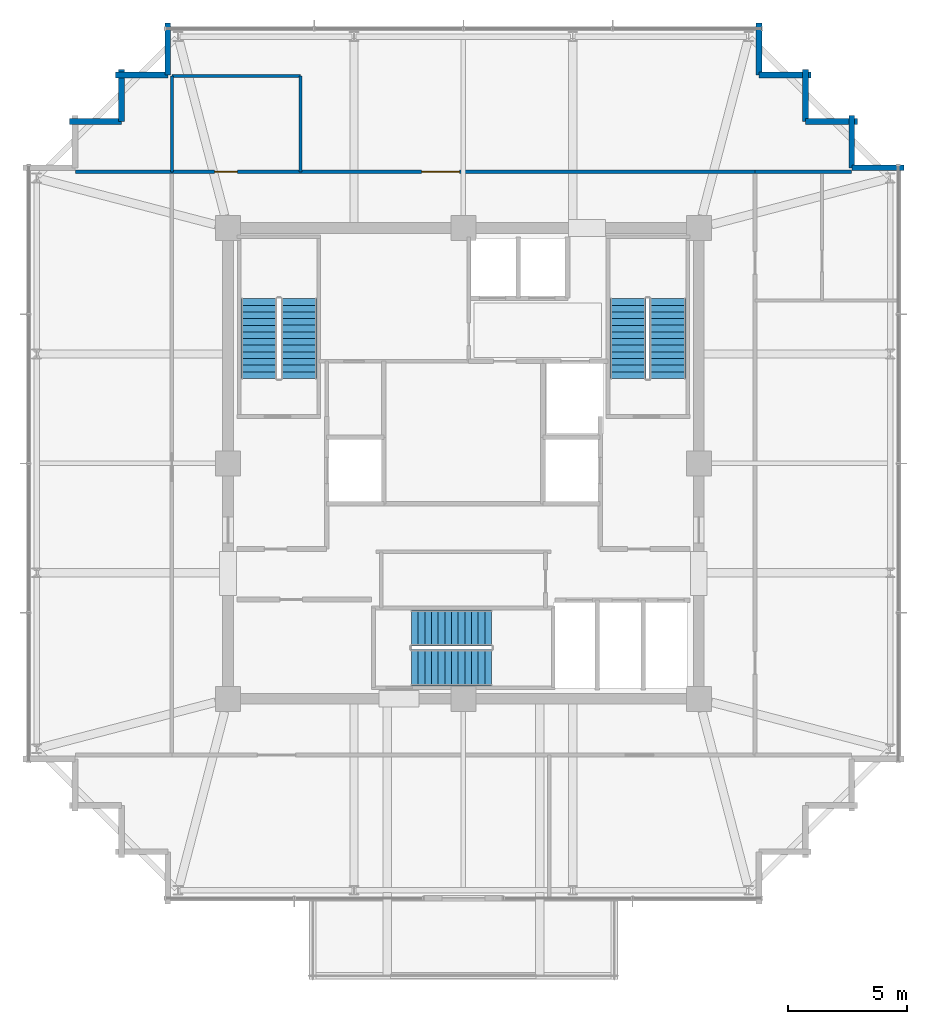
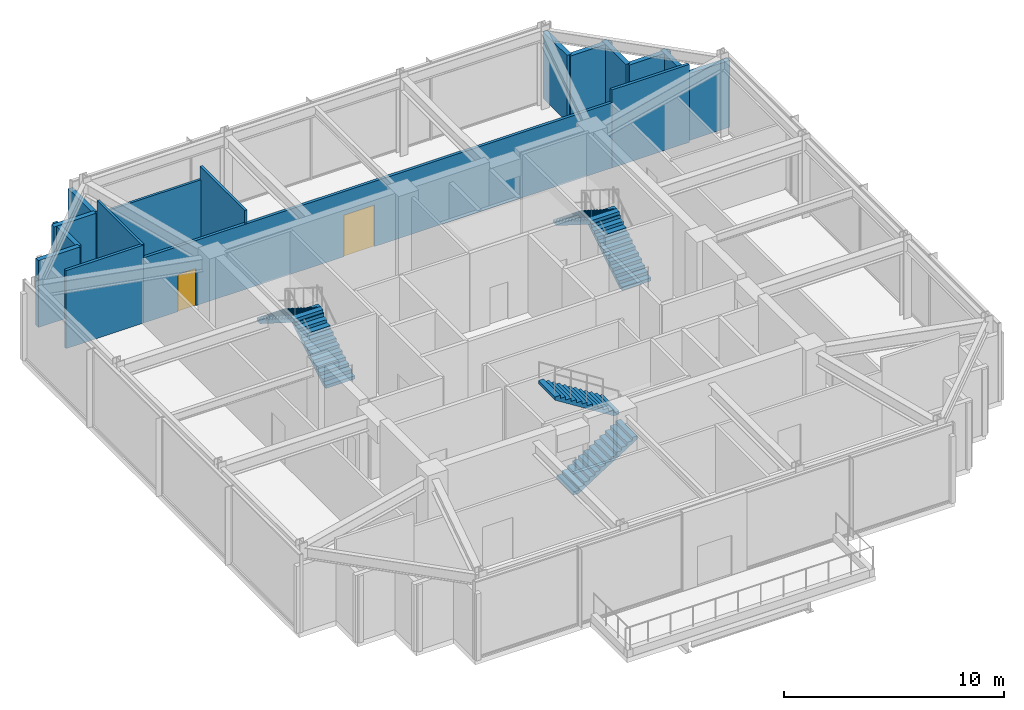
# One storey, part 29 of 30: 16 walls, 6 stair flights, 2 doors, 2 openings, 3 elements without a shape of their own.
"""IFC4 building model written with IfcOpenShell, lengths in metres."""

from ifc_helpers import new_model, si_unit, direction, frame, frame_2d, origin, place, context, subcontext, project, spatial, polyline, rectangle, outline, extrude, material, layer, layer_set, type_object, element, fill, aggregate, save


model = new_model("IFC4")

# Units and contexts
model_context = context("Model", 3, precision=1e-05, world=origin(), true_north=direction((0.0, 1.0)))
body_context = subcontext(model_context, "Body", "Model", "MODEL_VIEW")
ifc_project = project(units=[si_unit("LENGTHUNIT", "METRE"), si_unit("AREAUNIT", "SQUARE_METRE"), si_unit("VOLUMEUNIT", "CUBIC_METRE"), si_unit("PLANEANGLEUNIT", "RADIAN"), si_unit("MASSUNIT", "GRAM", prefix="KILO")], contexts=[model_context])

# Site, building, storey
site_placement = place(None, origin())
site = spatial("IfcSite", under=ifc_project, at=site_placement, CompositionType="ELEMENT")
building_placement = place(site_placement, origin())
building = spatial("IfcBuilding", under=site, at=building_placement, Name="Kolvaren Belvedere", CompositionType="ELEMENT")
storey_placement = place(building_placement, frame((0.0, 0.0, 262.800048828125)))
storey = spatial("IfcBuildingStorey", under=building, at=storey_placement, Name="L76", CompositionType="ELEMENT", Elevation=262.800048828125)

# Wall, openings, doors
ifc_material_1 = material(Name="Gypsum fire-rated partition assembly", Category="gypsum")
ifc_layer_1 = layer(ifc_material_1, 0.14990234375)
ifc_layer_set_1 = layer_set([ifc_layer_1], Name="Gypsum fire-rated partition assembly")
wall_type_1 = type_object("IfcWallType", Name="WL-CORR-150", PredefinedType="PARTITIONING", material=ifc_layer_set_1)
wall_1_placement = place(storey_placement, frame((-12.260009765625, 12.260009765625, 0.0), z_axis=(0.0, 0.0, 1.0), x_axis=(1.0, 0.0, 0.0)))
wall_1 = element("IfcWall", 1, at=wall_1_placement, inside=storey, type_object=wall_type_1, Name="L76 North Corridor Wall", PredefinedType="PARTITIONING", context=body_context, shape_type="SweptSolid", body=[
    extrude(rectangle(XDim=24.52001953125, YDim=0.14990234375, at=frame_2d((12.260009765625, 0.0))), origin(), (0.0, 0.0, 1.0), 3.60888671875),
])
opening_1_placement = place(wall_1_placement, frame((1.800048828125, 0.0, 0.0)))
opening_1 = element("IfcOpeningElement", 2, at=opening_1_placement, cuts=wall_1, Name="Opening D-INT95", PredefinedType="OPENING", context=body_context, shape_type="SweptSolid", body=[
    extrude(rectangle(XDim=0.949951171875, YDim=2.06005859375, at=frame_2d((0.47509765625, 1.030029296875))), frame((0.0, 0.0849609375, 0.0), z_axis=(0.0, -1.0, 0.0), x_axis=(1.0, 0.0, 0.0)), (0.0, 0.0, 1.0), 0.169921875),
])
opening_2_placement = place(wall_1_placement, frame((10.5, 0.0, 0.0)))
opening_2 = element("IfcOpeningElement", 3, at=opening_2_placement, cuts=wall_1, Name="Opening D-GL16", PredefinedType="OPENING", context=body_context, shape_type="SweptSolid", body=[
    extrude(rectangle(XDim=1.60009765625, YDim=2.300048828125, at=frame_2d((0.800048828125, 1.14990234375))), frame((0.0, 0.0849609375, 0.0), z_axis=(0.0, -1.0, 0.0), x_axis=(1.0, 0.0, 0.0)), (0.0, 0.0, 1.0), 0.169921875),
])
ifc_material_2 = material(Name="Anodised pale-metal aluminium & safety glass", Category="aluminium")
door_type_1 = type_object("IfcDoorType", Name="DR-GLAZ-1600", OperationType="DOUBLE_DOOR_SINGLE_SWING", PredefinedType="DOOR", material=ifc_material_2)
door_1_placement = place(opening_2_placement, origin())
door_1 = element("IfcDoor", 4, at=door_1_placement, inside=storey, type_object=door_type_1, Name="L76 North Panoramic Lounge Door", OperationType="DOUBLE_DOOR_SINGLE_SWING", OverallHeight=2.300048828125, OverallWidth=1.60009765625, PredefinedType="DOOR", context=body_context, shape_type="SweptSolid", body=[
    extrude(rectangle(XDim=1.60009765625, YDim=2.300048828125, at=frame_2d((0.800048828125, 1.14990234375))), frame((0.0, 0.02490234375, 0.0), z_axis=(0.0, -1.0, 0.0), x_axis=(1.0, 0.0, 0.0)), (0.0, 0.0, 1.0), 0.050048828125),
])
fill(opening_2, door_1)
ifc_material_3 = material(Name="Stained Pacific white oak", Category="timber")
door_type_2 = type_object("IfcDoorType", Name="DR-INT-950", OperationType="NOTDEFINED", PredefinedType="DOOR", material=ifc_material_3)
door_2_placement = place(opening_1_placement, origin())
door_2 = element("IfcDoor", 5, at=door_2_placement, inside=storey, type_object=door_type_2, Name="L76 Accessible Restaurant Washroom Door", OperationType="SINGLE_SWING_LEFT", OverallHeight=2.06005859375, OverallWidth=0.949951171875, PredefinedType="DOOR", context=body_context, shape_type="SweptSolid", body=[
    extrude(rectangle(XDim=0.949951171875, YDim=2.06005859375, at=frame_2d((0.47509765625, 1.030029296875))), frame((0.0, 0.02490234375, 0.0), z_axis=(0.0, -1.0, 0.0), x_axis=(1.0, 0.0, 0.0)), (0.0, 0.0, 1.0), 0.050048828125),
])
fill(opening_1, door_2)

# Walls
for number, where, z_axis, x_axis, name in (
    (6, (-16.320068359375, 12.260009765625, 0.0), (0.0, 0.0, 1.0), (1.0, 0.0, 0.0), "L76 Sector Wall PW-L76-QNW"),
    (7, (12.260009765625, 12.260009765625, 0.0), (0.0, 0.0, 1.0), (1.0, 0.0, 0.0), "L76 Sector Wall PW-L76-QNE"),
):
    element("IfcWall", number, at=place(storey_placement, frame(where, z_axis=z_axis, x_axis=x_axis)), inside=storey, type_object=wall_type_1, Name=name, PredefinedType="PARTITIONING", context=body_context, shape_type="SweptSolid", body=[
        extrude(rectangle(XDim=4.06005859375, YDim=0.14990234375, at=frame_2d((2.030029296875, 0.0))), origin(), (0.0, 0.0, 1.0), 4.320068359375),
    ])
ifc_material_4 = material(Name="Insulated pale-metal facade wall assembly", Category="aluminium")
ifc_layer_2 = layer(ifc_material_4, 0.239990234375)
ifc_layer_set_2 = layer_set([ifc_layer_2], Name="Insulated pale-metal facade wall assembly")
wall_type_2 = type_object("IfcWallType", Name="WL-EXT-240", PredefinedType="STANDARD", material=ifc_layer_set_2)
wall_2_placement = place(storey_placement, frame((16.330078125, 12.429931640625, 0.0), z_axis=(0.0, 0.0, 1.0), x_axis=(1.0, 0.0, 0.0)))
element("IfcWall", 8, at=wall_2_placement, inside=storey, type_object=wall_type_2, Name="L76 Serrated Corner Facade Wall 9", PredefinedType="STANDARD", context=body_context, shape_type="SweptSolid", body=[
    extrude(rectangle(XDim=2.18994140625, YDim=0.239990234375, at=frame_2d((1.094970703125, 0.0))), origin(), (0.0, 0.0, 1.0), 3.702880859375),
])
for number, where, z_axis, x_axis, name in (
    (9, (16.330078125, 14.6201171875, 0.0), (0.0, 0.0, 1.0), (0.0, -1.0, 0.0), "L76 Serrated Corner Facade Wall 10"),
    (10, (14.3798828125, 14.3798828125, 0.0), (0.0, 0.0, 1.0), (1.0, 0.0, 0.0), "L76 Serrated Corner Facade Wall 11"),
    (11, (14.3798828125, 16.570068359375, 0.0), (0.0, 0.0, 1.0), (0.0, -1.0, 0.0), "L76 Serrated Corner Facade Wall 12"),
    (12, (12.429931640625, 16.330078125, 0.0), (0.0, 0.0, 1.0), (1.0, 0.0, 0.0), "L76 Serrated Corner Facade Wall 13"),
):
    element("IfcWall", number, at=place(storey_placement, frame(where, z_axis=z_axis, x_axis=x_axis)), inside=storey, type_object=wall_type_2, Name=name, PredefinedType="STANDARD", context=body_context, shape_type="SweptSolid", body=[
        extrude(rectangle(XDim=2.190185546875, YDim=0.239990234375, at=frame_2d((1.09521484375, 0.0))), origin(), (0.0, 0.0, 1.0), 3.702880859375),
    ])
for number, where, z_axis, x_axis, name in (
    (13, (12.429931640625, 18.52001953125, 0.0), (0.0, 0.0, 1.0), (0.0, -1.0, 0.0), "L76 Serrated Corner Facade Wall 14"),
    (14, (-12.429931640625, 16.330078125, 0.0), (0.0, 0.0, 1.0), (0.0, 1.0, 0.0), "L76 Serrated Corner Facade Wall 16"),
):
    element("IfcWall", number, at=place(storey_placement, frame(where, z_axis=z_axis, x_axis=x_axis)), inside=storey, type_object=wall_type_2, Name=name, PredefinedType="STANDARD", context=body_context, shape_type="SweptSolid", body=[
        extrude(rectangle(XDim=2.18994140625, YDim=0.239990234375, at=frame_2d((1.094970703125, 0.0))), origin(), (0.0, 0.0, 1.0), 3.702880859375),
    ])
for number, where, z_axis, x_axis, name in (
    (15, (-14.6201171875, 16.330078125, 0.0), (0.0, 0.0, 1.0), (1.0, 0.0, 0.0), "L76 Serrated Corner Facade Wall 17"),
    (16, (-14.3798828125, 14.3798828125, 0.0), (0.0, 0.0, 1.0), (0.0, 1.0, 0.0), "L76 Serrated Corner Facade Wall 18"),
    (17, (-16.570068359375, 14.3798828125, 0.0), (0.0, 0.0, 1.0), (1.0, 0.0, 0.0), "L76 Serrated Corner Facade Wall 19"),
):
    element("IfcWall", number, at=place(storey_placement, frame(where, z_axis=z_axis, x_axis=x_axis)), inside=storey, type_object=wall_type_2, Name=name, PredefinedType="STANDARD", context=body_context, shape_type="SweptSolid", body=[
        extrude(rectangle(XDim=2.190185546875, YDim=0.239990234375, at=frame_2d((1.09521484375, 0.0))), origin(), (0.0, 0.0, 1.0), 3.702880859375),
    ])
ifc_material_5 = material(Name="Moisture-resistant gypsum partition", Category="gypsum")
ifc_layer_3 = layer(ifc_material_5, 0.125)
ifc_layer_set_3 = layer_set([ifc_layer_3], Name="Moisture-resistant gypsum partition")
wall_type_3 = type_object("IfcWallType", Name="WL-WET-125", PredefinedType="PARTITIONING", material=ifc_layer_set_3)
for number, where, z_axis, x_axis, name in (
    (18, (-12.260009765625, 12.260009765625, 0.0), (0.0, 0.0, 1.0), (0.0, 1.0, 0.0), "L76 Accessible WC West Wall"),
    (19, (-6.860107421875, 12.260009765625, 0.0), (0.0, 0.0, 1.0), (0.0, 1.0, 0.0), "L76 Accessible WC East Wall"),
):
    element("IfcWall", number, at=place(storey_placement, frame(where, z_axis=z_axis, x_axis=x_axis)), inside=storey, type_object=wall_type_3, Name=name, PredefinedType="PARTITIONING", context=body_context, shape_type="SweptSolid", body=[
        extrude(rectangle(XDim=4.0400390625, YDim=0.125, at=frame_2d((2.02001953125, 0.0))), origin(), (0.0, 0.0, 1.0), 4.320068359375),
    ])
wall_3_placement = place(storey_placement, frame((-12.260009765625, 16.300048828125, 0.0), z_axis=(0.0, 0.0, 1.0), x_axis=(1.0, 0.0, 0.0)))
element("IfcWall", 20, at=wall_3_placement, inside=storey, type_object=wall_type_3, Name="L76 Accessible WC North Wall", PredefinedType="PARTITIONING", context=body_context, shape_type="SweptSolid", body=[
    extrude(rectangle(XDim=5.39990234375, YDim=0.125, at=frame_2d((2.699951171875, 0.0))), origin(), (0.0, 0.0, 1.0), 3.60888671875),
])

# Stair, stair flights
ifc_material_6 = material(Name="Concrete C50/60", Category="concrete")
stair_type = type_object("IfcStairType", Name="ST-CORE-1520", PredefinedType="HALF_TURN_STAIR", material=ifc_material_6)
stair_1_placement = place(storey_placement, origin())
stair_1 = element("IfcStair", 21, at=stair_1_placement, inside=storey, type_object=stair_type, Name="L76 Protected Exit Stair ST-1", PredefinedType="HALF_TURN_STAIR")
ifc_material_7 = material(Name="Concrete C50/60", Category="concrete")
stair_flight_type = type_object("IfcStairFlightType", Name="SF-STR-1520", PredefinedType="STRAIGHT", material=ifc_material_7)
stair_flight_1_placement = place(storey_placement, frame((-6.919921875, 3.570068359375, 0.0), z_axis=(0.0, 0.0, 1.0), x_axis=(0.0, 1.0, 0.0)))
stair_flight_1 = element("IfcStairFlight", 22, at=stair_flight_1_placement, type_object=stair_flight_type, Name="ST-1 flight 1", NumberOfRisers=13, NumberOfTreads=12, PredefinedType="STRAIGHT", RiserHeight=0.176923077, TreadLength=0.28, context=body_context, shape_type="SweptSolid", body=[
    extrude(outline(polyline([(0.0, 0.0), (0.0, 0.177001953125), (0.280029296875, 0.177001953125), (0.280029296875, 0.353759765625), (0.56005859375, 0.353759765625), (0.56005859375, 0.53076171875), (0.840087890625, 0.53076171875), (0.840087890625, 0.707763671875), (1.1201171875, 0.707763671875), (1.1201171875, 0.884521484375), (1.39990234375, 0.884521484375), (1.39990234375, 1.0615234375), (1.679931640625, 1.0615234375), (1.679931640625, 1.238525390625), (1.9599609375, 1.238525390625), (1.9599609375, 1.415283203125), (2.239990234375, 1.415283203125), (2.239990234375, 1.59228515625), (2.52001953125, 1.59228515625), (2.52001953125, 1.769287109375), (2.800048828125, 1.769287109375), (2.800048828125, 1.946044921875), (3.080078125, 1.946044921875), (3.080078125, 2.123046875), (3.360107421875, 2.123046875), (3.360107421875, 2.300048828125), (3.360107421875, 1.94580078125), (0.280517578125, 0.0), (0.0, 0.0)])), frame((0.0, 0.760009765625, 0.0), z_axis=(0.0, -1.0, 0.0), x_axis=(1.0, 0.0, 0.0)), (0.0, 0.0, 1.0), 1.52001953125),
])
stair_flight_2_placement = place(storey_placement, frame((-8.590087890625, 6.929931640625, 2.300048828125), z_axis=(0.0, 0.0, 1.0), x_axis=(0.0, -1.0, 0.0)))
stair_flight_2 = element("IfcStairFlight", 23, at=stair_flight_2_placement, type_object=stair_flight_type, Name="ST-1 flight 2", NumberOfRisers=13, NumberOfTreads=12, PredefinedType="STRAIGHT", RiserHeight=0.176923077, TreadLength=0.28, context=body_context, shape_type="SweptSolid", body=[
    extrude(outline(polyline([(0.0, 0.0), (0.0, 0.177001953125), (0.280029296875, 0.177001953125), (0.280029296875, 0.353759765625), (0.56005859375, 0.353759765625), (0.56005859375, 0.53076171875), (0.840087890625, 0.53076171875), (0.840087890625, 0.707763671875), (1.1201171875, 0.707763671875), (1.1201171875, 0.884521484375), (1.39990234375, 0.884521484375), (1.39990234375, 1.0615234375), (1.679931640625, 1.0615234375), (1.679931640625, 1.238525390625), (1.9599609375, 1.238525390625), (1.9599609375, 1.415283203125), (2.239990234375, 1.415283203125), (2.239990234375, 1.59228515625), (2.52001953125, 1.59228515625), (2.52001953125, 1.769287109375), (2.800048828125, 1.769287109375), (2.800048828125, 1.946044921875), (3.080078125, 1.946044921875), (3.080078125, 2.123046875), (3.360107421875, 2.123046875), (3.360107421875, 2.300048828125), (3.360107421875, 1.94580078125), (0.280517578125, 0.0), (0.0, 0.0)])), frame((0.0, 0.760009765625, 0.0), z_axis=(0.0, -1.0, 0.0), x_axis=(1.0, 0.0, 0.0)), (0.0, 0.0, 1.0), 1.52001953125),
])
aggregate(stair_1, [stair_flight_1, stair_flight_2])

stair_2_placement = place(storey_placement, origin())
stair_2 = element("IfcStair", 24, at=stair_2_placement, inside=storey, type_object=stair_type, Name="L76 Protected Exit Stair ST-2", PredefinedType="HALF_TURN_STAIR")
stair_flight_3_placement = place(storey_placement, frame((8.590087890625, 3.570068359375, 0.0), z_axis=(0.0, 0.0, 1.0), x_axis=(0.0, 1.0, 0.0)))
stair_flight_3 = element("IfcStairFlight", 25, at=stair_flight_3_placement, type_object=stair_flight_type, Name="ST-2 flight 1", NumberOfRisers=13, NumberOfTreads=12, PredefinedType="STRAIGHT", RiserHeight=0.176923077, TreadLength=0.28, context=body_context, shape_type="SweptSolid", body=[
    extrude(outline(polyline([(0.0, 0.0), (0.0, 0.177001953125), (0.280029296875, 0.177001953125), (0.280029296875, 0.353759765625), (0.56005859375, 0.353759765625), (0.56005859375, 0.53076171875), (0.840087890625, 0.53076171875), (0.840087890625, 0.707763671875), (1.1201171875, 0.707763671875), (1.1201171875, 0.884521484375), (1.39990234375, 0.884521484375), (1.39990234375, 1.0615234375), (1.679931640625, 1.0615234375), (1.679931640625, 1.238525390625), (1.9599609375, 1.238525390625), (1.9599609375, 1.415283203125), (2.239990234375, 1.415283203125), (2.239990234375, 1.59228515625), (2.52001953125, 1.59228515625), (2.52001953125, 1.769287109375), (2.800048828125, 1.769287109375), (2.800048828125, 1.946044921875), (3.080078125, 1.946044921875), (3.080078125, 2.123046875), (3.360107421875, 2.123046875), (3.360107421875, 2.300048828125), (3.360107421875, 1.94580078125), (0.280517578125, 0.0), (0.0, 0.0)])), frame((0.0, 0.760009765625, 0.0), z_axis=(0.0, -1.0, 0.0), x_axis=(1.0, 0.0, 0.0)), (0.0, 0.0, 1.0), 1.52001953125),
])
stair_flight_4_placement = place(storey_placement, frame((6.919921875, 6.929931640625, 2.300048828125), z_axis=(0.0, 0.0, 1.0), x_axis=(0.0, -1.0, 0.0)))
stair_flight_4 = element("IfcStairFlight", 26, at=stair_flight_4_placement, type_object=stair_flight_type, Name="ST-2 flight 2", NumberOfRisers=13, NumberOfTreads=12, PredefinedType="STRAIGHT", RiserHeight=0.176923077, TreadLength=0.28, context=body_context, shape_type="SweptSolid", body=[
    extrude(outline(polyline([(0.0, 0.0), (0.0, 0.177001953125), (0.280029296875, 0.177001953125), (0.280029296875, 0.353759765625), (0.56005859375, 0.353759765625), (0.56005859375, 0.53076171875), (0.840087890625, 0.53076171875), (0.840087890625, 0.707763671875), (1.1201171875, 0.707763671875), (1.1201171875, 0.884521484375), (1.39990234375, 0.884521484375), (1.39990234375, 1.0615234375), (1.679931640625, 1.0615234375), (1.679931640625, 1.238525390625), (1.9599609375, 1.238525390625), (1.9599609375, 1.415283203125), (2.239990234375, 1.415283203125), (2.239990234375, 1.59228515625), (2.52001953125, 1.59228515625), (2.52001953125, 1.769287109375), (2.800048828125, 1.769287109375), (2.800048828125, 1.946044921875), (3.080078125, 1.946044921875), (3.080078125, 2.123046875), (3.360107421875, 2.123046875), (3.360107421875, 2.300048828125), (3.360107421875, 1.94580078125), (0.280517578125, 0.0), (0.0, 0.0)])), frame((0.0, 0.760009765625, 0.0), z_axis=(0.0, -1.0, 0.0), x_axis=(1.0, 0.0, 0.0)), (0.0, 0.0, 1.0), 1.52001953125),
])
aggregate(stair_2, [stair_flight_3, stair_flight_4])

stair_3_placement = place(storey_placement, origin())
stair_3 = element("IfcStair", 27, at=stair_3_placement, inside=storey, type_object=stair_type, Name="L76 Protected Exit Stair ST-3", PredefinedType="HALF_TURN_STAIR")
stair_flight_5_placement = place(storey_placement, frame((-2.179931640625, -8.590087890625, 0.0), z_axis=(0.0, 0.0, 1.0), x_axis=(1.0, 0.0, 0.0)))
stair_flight_5 = element("IfcStairFlight", 28, at=stair_flight_5_placement, type_object=stair_flight_type, Name="ST-3 flight 1", NumberOfRisers=13, NumberOfTreads=12, PredefinedType="STRAIGHT", RiserHeight=0.176923077, TreadLength=0.28, context=body_context, shape_type="SweptSolid", body=[
    extrude(outline(polyline([(0.0, 0.0), (0.0, 0.177001953125), (0.280029296875, 0.177001953125), (0.280029296875, 0.353759765625), (0.56005859375, 0.353759765625), (0.56005859375, 0.53076171875), (0.840087890625, 0.53076171875), (0.840087890625, 0.707763671875), (1.1201171875, 0.707763671875), (1.1201171875, 0.884521484375), (1.39990234375, 0.884521484375), (1.39990234375, 1.0615234375), (1.679931640625, 1.0615234375), (1.679931640625, 1.238525390625), (1.9599609375, 1.238525390625), (1.9599609375, 1.415283203125), (2.239990234375, 1.415283203125), (2.239990234375, 1.59228515625), (2.52001953125, 1.59228515625), (2.52001953125, 1.769287109375), (2.800048828125, 1.769287109375), (2.800048828125, 1.946044921875), (3.080078125, 1.946044921875), (3.080078125, 2.123046875), (3.360107421875, 2.123046875), (3.360107421875, 2.300048828125), (3.360107421875, 1.94580078125), (0.280517578125, 0.0), (0.0, 0.0)])), frame((0.0, 0.760009765625, 0.0), z_axis=(0.0, -1.0, 0.0), x_axis=(1.0, 0.0, 0.0)), (0.0, 0.0, 1.0), 1.52001953125),
])
stair_flight_6_placement = place(storey_placement, frame((1.179931640625, -6.919921875, 2.300048828125), z_axis=(0.0, 0.0, 1.0), x_axis=(-1.0, 0.0, 0.0)))
stair_flight_6 = element("IfcStairFlight", 29, at=stair_flight_6_placement, type_object=stair_flight_type, Name="ST-3 flight 2", NumberOfRisers=13, NumberOfTreads=12, PredefinedType="STRAIGHT", RiserHeight=0.176923077, TreadLength=0.28, context=body_context, shape_type="SweptSolid", body=[
    extrude(outline(polyline([(0.0, 0.0), (0.0, 0.177001953125), (0.280029296875, 0.177001953125), (0.280029296875, 0.353759765625), (0.56005859375, 0.353759765625), (0.56005859375, 0.53076171875), (0.840087890625, 0.53076171875), (0.840087890625, 0.707763671875), (1.1201171875, 0.707763671875), (1.1201171875, 0.884521484375), (1.39990234375, 0.884521484375), (1.39990234375, 1.0615234375), (1.679931640625, 1.0615234375), (1.679931640625, 1.238525390625), (1.9599609375, 1.238525390625), (1.9599609375, 1.415283203125), (2.239990234375, 1.415283203125), (2.239990234375, 1.59228515625), (2.52001953125, 1.59228515625), (2.52001953125, 1.769287109375), (2.800048828125, 1.769287109375), (2.800048828125, 1.946044921875), (3.080078125, 1.946044921875), (3.080078125, 2.123046875), (3.360107421875, 2.123046875), (3.360107421875, 2.300048828125), (3.360107421875, 1.94580078125), (0.280517578125, 0.0), (0.0, 0.0)])), frame((0.0, 0.760009765625, 0.0), z_axis=(0.0, -1.0, 0.0), x_axis=(1.0, 0.0, 0.0)), (0.0, 0.0, 1.0), 1.52001953125),
])
aggregate(stair_3, [stair_flight_5, stair_flight_6])

save(model, "model.ifc")
